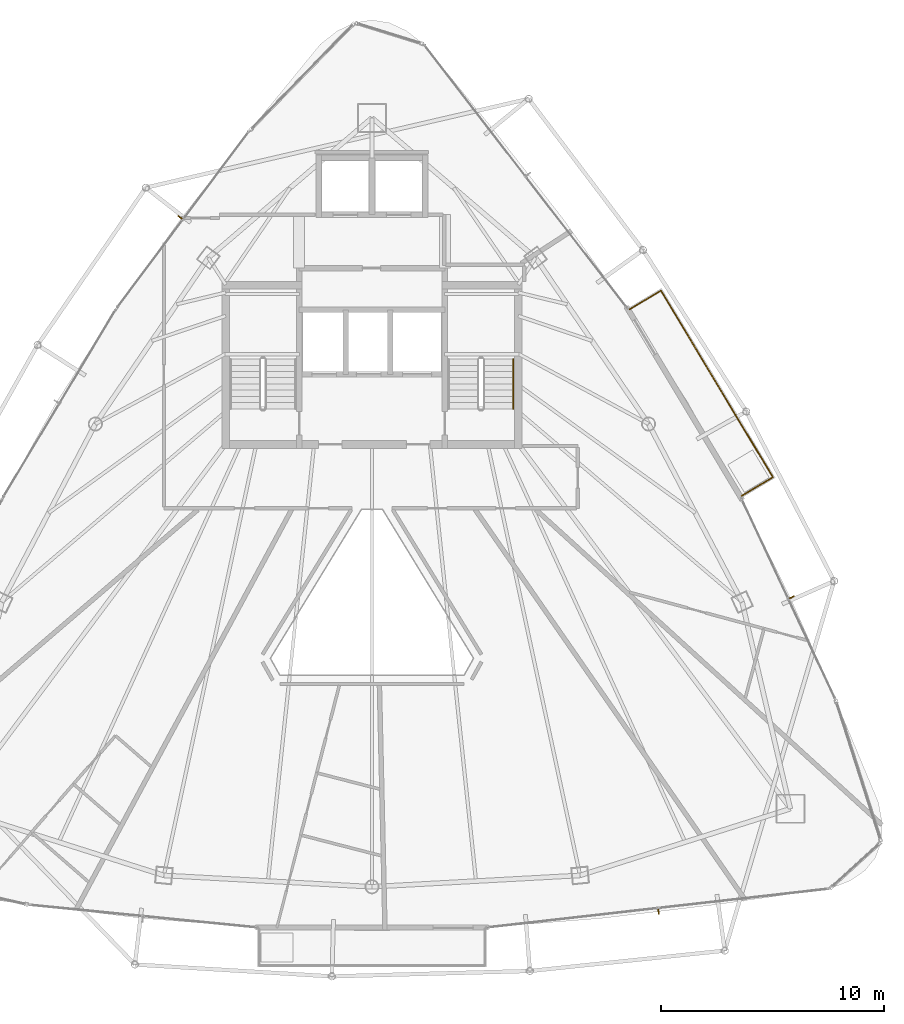
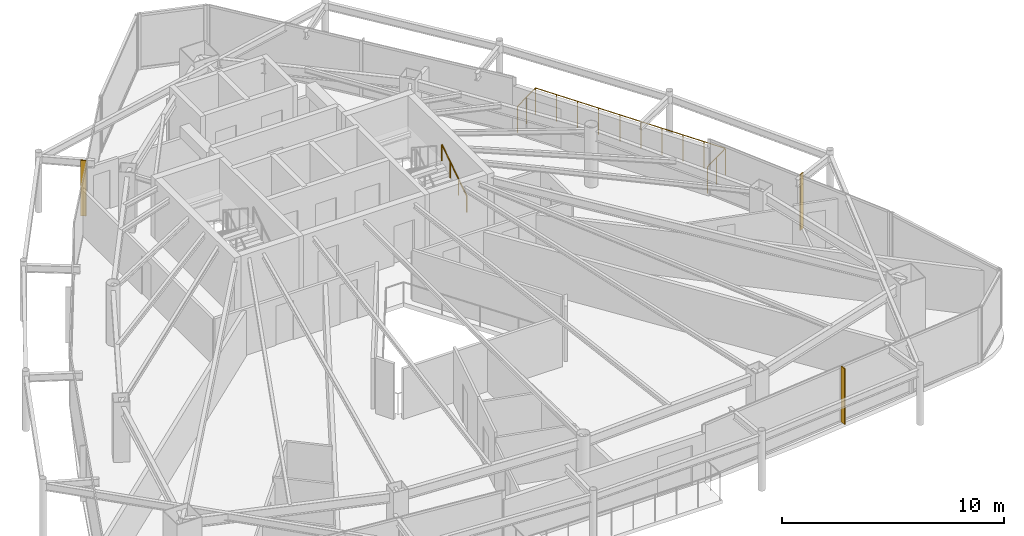
# One storey, part 29 of 30: 3 shading devices, 2 railings.
"""IFC4 building model written with IfcOpenShell, lengths in metres."""

from ifc_helpers import new_model, si_unit, direction, frame, origin, origin_2d, place, context, subcontext, project, spatial, rectangle, circle, extrude, material, layer, layer_set, type_object, element, save


model = new_model("IFC4")

# Units and contexts
model_context = context("Model", 3, precision=1e-05, world=origin(), true_north=direction((0.0, 1.0)))
body_context = subcontext(model_context, "Body", "Model", "MODEL_VIEW")
ifc_project = project(units=[si_unit("LENGTHUNIT", "METRE"), si_unit("AREAUNIT", "SQUARE_METRE"), si_unit("VOLUMEUNIT", "CUBIC_METRE"), si_unit("PLANEANGLEUNIT", "RADIAN"), si_unit("MASSUNIT", "GRAM", prefix="KILO")], contexts=[model_context])

# Site, building, storey
site_placement = place(None, origin())
site = spatial("IfcSite", under=ifc_project, at=site_placement, CompositionType="ELEMENT")
building_placement = place(site_placement, origin())
building = spatial("IfcBuilding", under=site, at=building_placement, Name="Orvanel Arch Residences", CompositionType="ELEMENT")
storey_placement = place(building_placement, frame((0.0, 0.0, 226.10009765625)))
storey = spatial("IfcBuildingStorey", under=building, at=storey_placement, Name="L64", CompositionType="ELEMENT", Elevation=226.10009765625)

# Shading devices
ifc_material_1 = material(Name="Bronze-anodised aluminium AA6063-T6", Category="aluminium")
ifc_layer = layer(ifc_material_1, 0.050048828125)
ifc_layer_set = layer_set([ifc_layer], Name="Bronze-anodised aluminium AA6063-T6")
shading_device_type = type_object("IfcShadingDeviceType", Name="FIN-BRZ-260", PredefinedType="USERDEFINED", material=ifc_layer_set)
for number, where, z_axis, x_axis, name in (
    (1, (24.385009765625, 36.9208984375, -0.000244140625), (0.0, 0.0, 1.0), (-0.800731370949, 0.599023598516, 0.0), "L64 Anodised Bronze Mullion FIN 01"),
    (2, (45.8779296875, 5.73095703125, -0.000244140625), (0.0, 0.0, 1.0), (0.113203213768, -0.993571855677, 0.0), "L64 Anodised Bronze Mullion FIN 01"),
    (3, (51.85498046875, 19.84912109375, -0.000244140625), (0.0, 0.0, 1.0), (0.905568799011, 0.424199422745, 0.0), "L64 Anodised Bronze Mullion FIN 01"),
):
    element("IfcShadingDevice", number, at=place(storey_placement, frame(where, z_axis=z_axis, x_axis=x_axis)), inside=storey, type_object=shading_device_type, Name=name, ObjectType="FIN", PredefinedType="USERDEFINED", context=body_context, shape_type="SweptSolid", body=[
        extrude(rectangle(XDim=0.260009765625, YDim=0.050048828125, at=origin_2d()), origin(), (0.0, 0.0, 1.0), 3.06005859375),
    ])

# Railings
railing_type_1 = type_object("IfcRailingType", Name="RL-BAL-1480", PredefinedType="BALUSTRADE", material=ifc_material_1)
railing_1_placement = place(storey_placement, frame((49.60791015625, 24.406982421875, 0.0)))
element("IfcRailing", 4, at=railing_1_placement, inside=storey, type_object=railing_type_1, Name="L64 Balcony Perimeter Guardrail Face 3", PredefinedType="BALUSTRADE", context=body_context, shape_type="SweptSolid", body=[
    extrude(circle(Radius=0.02392578125, at=origin_2d()), frame((0.001220703125, 0.000732421875, 1.4560546875), z_axis=(0.857545439568, 0.514408222208, 0.0), x_axis=(-0.514408222208, 0.857545439568, 0.0)), (0.0, 0.0, 1.0), 1.6376953125),
    extrude(circle(Radius=0.02392578125, at=origin_2d()), frame((1.40625, 0.84521484375, 1.4560546875), z_axis=(-0.514403956003, 0.857547998685, 0.0), x_axis=(-0.857547998685, -0.514403956003, 0.0)), (0.0, 0.0, 1.0), 9.77490234375),
    extrude(circle(Radius=0.02392578125, at=origin_2d()), frame((-3.6240234375, 9.228271484375, 1.4560546875), z_axis=(-0.857387817543, -0.514670895164, 0.0), x_axis=(0.514670895164, -0.857387817543, 0.0)), (0.0, 0.0, 1.0), 1.636962890625),
    extrude(circle(Radius=0.02099609375, at=origin_2d()), origin(), (0.0, 0.0, 1.0), 1.429931640625),
    extrude(circle(Radius=0.02099609375, at=origin_2d()), frame((0.70361328125, 0.421875, 0.0)), (0.0, 0.0, 1.0), 1.429931640625),
    extrude(circle(Radius=0.02099609375, at=origin_2d()), frame((1.406982421875, 0.843994140625, 0.0)), (0.0, 0.0, 1.0), 1.429931640625),
    extrude(circle(Radius=0.02099609375, at=origin_2d()), frame((0.84814453125, 1.775634765625, 0.0)), (0.0, 0.0, 1.0), 1.429931640625),
    extrude(circle(Radius=0.02099609375, at=origin_2d()), frame((0.289306640625, 2.707275390625, 0.0)), (0.0, 0.0, 1.0), 1.429931640625),
    extrude(circle(Radius=0.02099609375, at=origin_2d()), frame((-0.26953125, 3.638916015625, 0.0)), (0.0, 0.0, 1.0), 1.429931640625),
    extrude(circle(Radius=0.02099609375, at=origin_2d()), frame((-0.828369140625, 4.570556640625, 0.0)), (0.0, 0.0, 1.0), 1.429931640625),
    extrude(circle(Radius=0.02099609375, at=origin_2d()), frame((-1.387451171875, 5.50244140625, 0.0)), (0.0, 0.0, 1.0), 1.429931640625),
    extrude(circle(Radius=0.02099609375, at=origin_2d()), frame((-1.9462890625, 6.43408203125, 0.0)), (0.0, 0.0, 1.0), 1.429931640625),
    extrude(circle(Radius=0.02099609375, at=origin_2d()), frame((-2.505126953125, 7.36572265625, 0.0)), (0.0, 0.0, 1.0), 1.429931640625),
    extrude(circle(Radius=0.02099609375, at=origin_2d()), frame((-3.06396484375, 8.29736328125, 0.0)), (0.0, 0.0, 1.0), 1.429931640625),
    extrude(circle(Radius=0.02099609375, at=origin_2d()), frame((-3.622802734375, 9.22900390625, 0.0)), (0.0, 0.0, 1.0), 1.429931640625),
    extrude(circle(Radius=0.02099609375, at=origin_2d()), frame((-4.32568359375, 8.80712890625, 0.0)), (0.0, 0.0, 1.0), 1.429931640625),
    extrude(circle(Radius=0.02099609375, at=origin_2d()), frame((-5.02880859375, 8.385009765625, 0.0)), (0.0, 0.0, 1.0), 1.429931640625),
])
ifc_material_2 = material(Name="Structural steel AS/NZS 1163 C350L0 (Grade 350)", Category="steel")
railing_type_2 = type_object("IfcRailingType", Name="RL-STAIR-HAND", PredefinedType="HANDRAIL", material=ifc_material_2)
railing_2_placement = place(storey_placement, frame((39.35009765625, 28.320068359375, 0.183349609375)))
element("IfcRailing", 5, at=railing_2_placement, inside=storey, type_object=railing_type_2, Name="L64 ST-2 stair handrail 1", PredefinedType="HANDRAIL", context=body_context, shape_type="SweptSolid", body=[
    extrude(circle(Radius=0.02392578125, at=origin_2d()), frame((0.0, 0.001220703125, 0.876708984375), z_axis=(0.0, 0.836636935527, 0.547757827979), x_axis=(-1.0, 0.0, 0.0)), (0.0, 0.0, 1.0), 2.67431640625),
    extrude(circle(Radius=0.02099609375, at=origin_2d()), origin(), (0.0, 0.0, 1.0), 0.849853515625),
    extrude(circle(Radius=0.02099609375, at=origin_2d()), frame((0.0, 0.74658203125, 0.48876953125)), (0.0, 0.0, 1.0), 0.849853515625),
    extrude(circle(Radius=0.02099609375, at=origin_2d()), frame((0.0, 1.493408203125, 0.977783203125)), (0.0, 0.0, 1.0), 0.849853515625),
    extrude(circle(Radius=0.02099609375, at=origin_2d()), frame((0.0, 2.239990234375, 1.466552734375)), (0.0, 0.0, 1.0), 0.849853515625),
])

save(model, "model.ifc")
